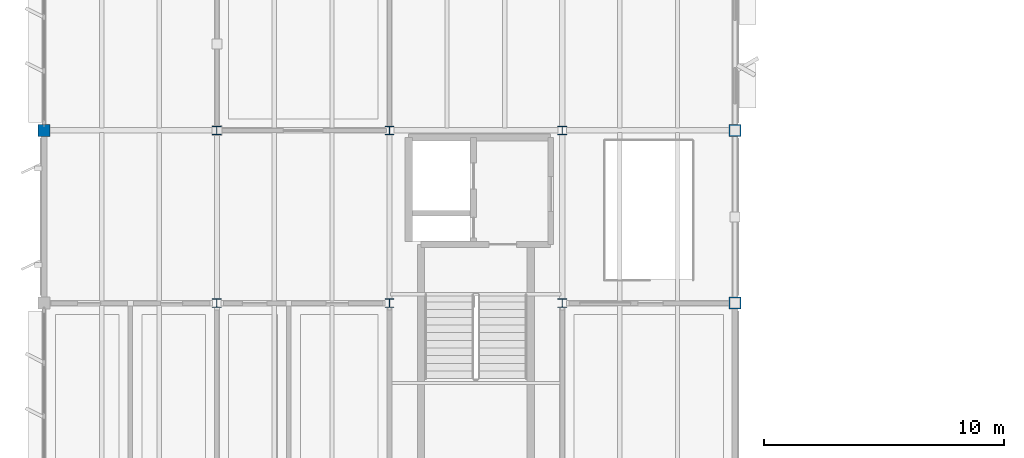
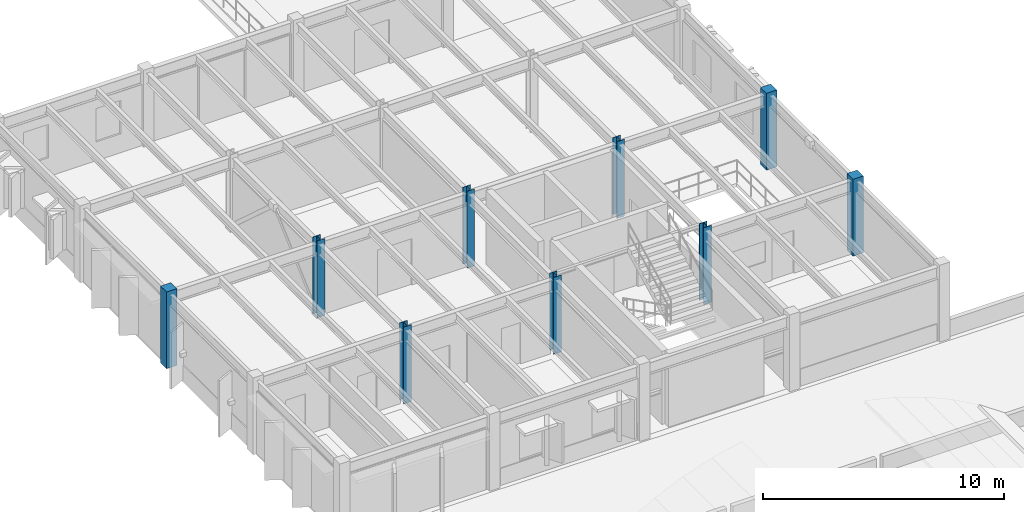
# One storey, part 2 of 82: 9 columns.
"""IFC4 building model written with IfcOpenShell, lengths in metres."""

from ifc_helpers import new_model, si_unit, direction, frame, origin, origin_2d, place, context, subcontext, project, spatial, rectangle, i_section, extrude, material, material_profile, profile_set, type_object, element, save


model = new_model("IFC4")

# Units and contexts
model_context = context("Model", 3, precision=1e-05, world=origin(), true_north=direction((0.0, 1.0)))
body_context = subcontext(model_context, "Body", "Model", "MODEL_VIEW")
ifc_project = project(units=[si_unit("LENGTHUNIT", "METRE"), si_unit("AREAUNIT", "SQUARE_METRE"), si_unit("VOLUMEUNIT", "CUBIC_METRE"), si_unit("PLANEANGLEUNIT", "RADIAN"), si_unit("MASSUNIT", "GRAM", prefix="KILO")], contexts=[model_context])

# Site, building, storey
site_placement = place(None, origin())
site = spatial("IfcSite", under=ifc_project, at=site_placement, CompositionType="ELEMENT")
building_placement = place(site_placement, origin())
building = spatial("IfcBuilding", under=site, at=building_placement, Name="Sillqori Civic Hall", CompositionType="ELEMENT")
storey_placement = place(building_placement, frame((0.0, 0.0, 14.10009765625)))
storey = spatial("IfcBuildingStorey", under=building, at=storey_placement, Name="L04", CompositionType="ELEMENT", Elevation=14.10009765625)

# Columns
ifc_material_1 = material(Name="Concrete C35/45 (H35)", Category="concrete")
ifc_material_profile_1 = material_profile(ifc_material_1, rectangle(XDim=0.5, YDim=0.5, at=origin_2d()), Name="RC 500x500")
ifc_profile_set_1 = profile_set([ifc_material_profile_1], Name="Concrete C35/45 (H35)")
column_type_1 = type_object("IfcColumnType", Name="COL-RC500", PredefinedType="COLUMN", material=ifc_profile_set_1)
for number, where, z_axis, x_axis, name in (
    (1, (7.199951171875, 64.800048828125, 0.0), (0.0, 0.0, 1.0), (1.0, 0.0, 0.0), "L04 column 1-9"),
    (2, (36.0, 57.60009765625, 0.0), (0.0, 0.0, 1.0), (1.0, 0.0, 0.0), "L04 column 5-8"),
    (3, (36.0, 64.800048828125, 0.0), (0.0, 0.0, 1.0), (1.0, 0.0, 0.0), "L04 column 5-9"),
):
    element("IfcColumn", number, at=place(storey_placement, frame(where, z_axis=z_axis, x_axis=x_axis)), inside=storey, type_object=column_type_1, Name=name, PredefinedType="COLUMN", context=body_context, shape_type="SweptSolid", body=[
        extrude(rectangle(XDim=0.5, YDim=0.5, at=origin_2d()), origin(), (0.0, 0.0, 1.0), 3.89990234375),
    ])
ifc_material_2 = material(Name="Steel ASTM A992", Category="steel")
ifc_material_profile_2 = material_profile(ifc_material_2, i_section(OverallWidth=0.37109375, OverallDepth=0.361083984375, WebThickness=0.012451171875, FlangeThickness=0.019775390625, FilletRadius=0.014892578125, at=origin_2d()), Name="W14X99")
ifc_profile_set_2 = profile_set([ifc_material_profile_2], Name="Steel ASTM A992")
column_type_2 = type_object("IfcColumnType", Name="COL-W14X99", PredefinedType="COLUMN", material=ifc_profile_set_2)
for number, where, z_axis, x_axis, name in (
    (4, (14.39990234375, 57.60009765625, 0.0), (0.0, 0.0, 1.0), (1.0, 0.0, 0.0), "L04 column 2-8"),
    (5, (14.39990234375, 64.800048828125, 0.0), (0.0, 0.0, 1.0), (1.0, 0.0, 0.0), "L04 column 2-9"),
    (6, (21.60009765625, 57.60009765625, 0.0), (0.0, 0.0, 1.0), (1.0, 0.0, 0.0), "L04 column 3-8"),
    (7, (21.60009765625, 64.800048828125, 0.0), (0.0, 0.0, 1.0), (1.0, 0.0, 0.0), "L04 column 3-9"),
    (8, (28.800048828125, 57.60009765625, 0.0), (0.0, 0.0, 1.0), (1.0, 0.0, 0.0), "L04 column 4-8"),
    (9, (28.800048828125, 64.800048828125, 0.0), (0.0, 0.0, 1.0), (1.0, 0.0, 0.0), "L04 column 4-9"),
):
    element("IfcColumn", number, at=place(storey_placement, frame(where, z_axis=z_axis, x_axis=x_axis)), inside=storey, type_object=column_type_2, Name=name, PredefinedType="COLUMN", context=body_context, shape_type="SweptSolid", body=[
        extrude(i_section(OverallWidth=0.37109375, OverallDepth=0.361083984375, WebThickness=0.012451171875, FlangeThickness=0.019775390625, FilletRadius=0.014892578125, at=origin_2d()), origin(), (0.0, 0.0, 1.0), 3.89990234375),
    ])

save(model, "model.ifc")
